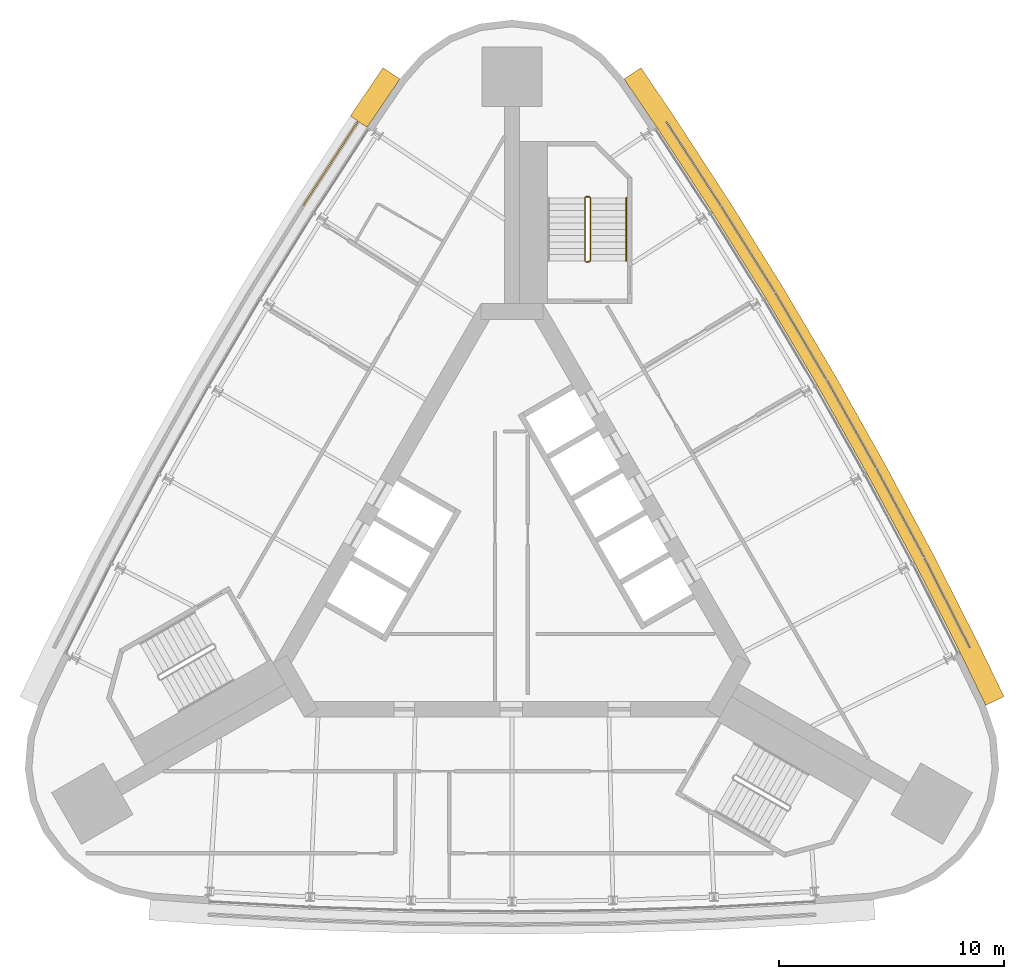
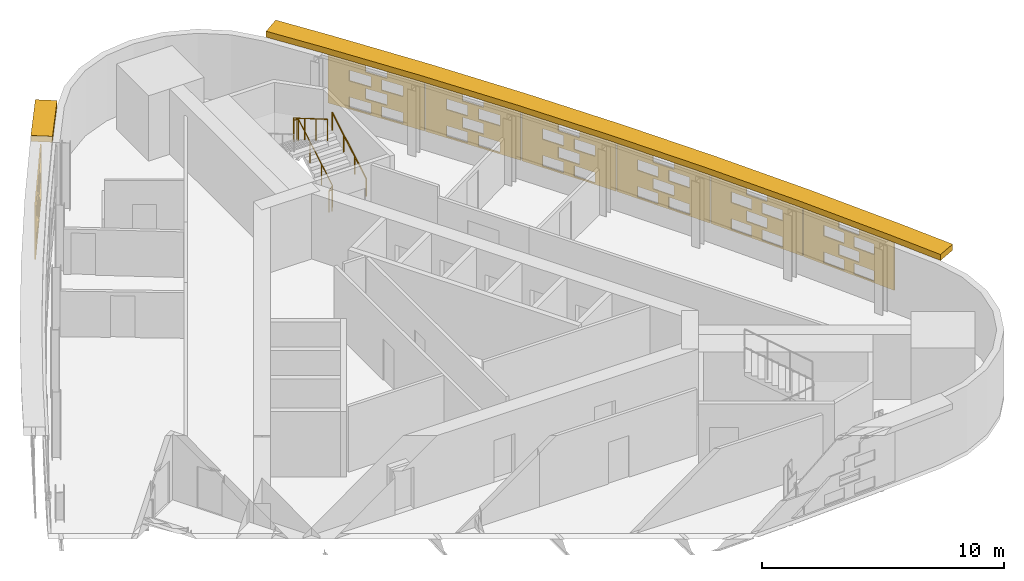
# One storey, part 11 of 11: 9 shading devices, 2 railings.
"""IFC4 building model written with IfcOpenShell, lengths in metres."""

from ifc_helpers import new_model, si_unit, direction, frame, origin, origin_2d, place, context, subcontext, project, spatial, polyline, circle, outline, extrude, material, material_profile, profile_set, type_object, element, save


model = new_model("IFC4")

# Units and contexts
model_context = context("Model", 3, precision=1e-05, world=origin(), true_north=direction((0.0, 1.0)))
body_context = subcontext(model_context, "Body", "Model", "MODEL_VIEW")
ifc_project = project(units=[si_unit("LENGTHUNIT", "METRE"), si_unit("AREAUNIT", "SQUARE_METRE"), si_unit("VOLUMEUNIT", "CUBIC_METRE"), si_unit("PLANEANGLEUNIT", "RADIAN"), si_unit("MASSUNIT", "GRAM", prefix="KILO")], contexts=[model_context])

# Site, building, storey
site_placement = place(None, origin())
site = spatial("IfcSite", under=ifc_project, at=site_placement, CompositionType="ELEMENT")
building_placement = place(site_placement, origin())
building = spatial("IfcBuilding", under=site, at=building_placement, Name="Noor Cloister Tower", CompositionType="ELEMENT")
storey_placement = place(building_placement, frame((0.0, 0.0, 206.699951171875)))
storey = spatial("IfcBuildingStorey", under=building, at=storey_placement, Name="L53", CompositionType="ELEMENT", Elevation=206.699951171875)

# Shading devices
ifc_material_1 = material(Name="Limestone", Category="masonry")
ifc_material_profile = material_profile(ifc_material_1, outline(polyline([(-2.22998046875, -1.35009765625), (2.22998046875, -1.35009765625), (2.22998046875, 1.35009765625), (-2.22998046875, 1.35009765625), (-2.22998046875, -1.35009765625)]), holes=[polyline([(-1.25, -1.282470703125), (-0.25, -1.282470703125), (-0.25, -0.742431640625), (-1.25, -0.742431640625), (-1.25, -1.282470703125)]), polyline([(0.25, -1.282470703125), (1.25, -1.282470703125), (1.25, -0.742431640625), (0.25, -0.742431640625), (0.25, -1.282470703125)]), polyline([(-0.5, -0.607421875), (0.5, -0.607421875), (0.5, -0.0673828125), (-0.5, -0.0673828125), (-0.5, -0.607421875)]), polyline([(-1.25, 0.0673828125), (-0.25, 0.0673828125), (-0.25, 0.607421875), (-1.25, 0.607421875), (-1.25, 0.0673828125)]), polyline([(0.25, 0.0673828125), (1.25, 0.0673828125), (1.25, 0.607421875), (0.25, 0.607421875), (0.25, 0.0673828125)]), polyline([(-0.5, 0.742431640625), (0.5, 0.742431640625), (0.5, 1.282470703125), (-0.5, 1.282470703125), (-0.5, 0.742431640625)])]), Name="Woven screen 32 percent open")
ifc_profile_set = profile_set([ifc_material_profile], Name="Limestone")
shading_device_type_1 = type_object("IfcShadingDeviceType", Name="SCREEN woven limestone 32 percent open", PredefinedType="USERDEFINED", material=ifc_profile_set)
for number, where, z_axis, x_axis, name in (
    (1, (-8.045654296875, 17.65673828125, 1.85009765625), (-0.838257628123, 0.545274379459, 0.0), (-0.545274379459, -0.838257628123, 0.0), "SCREEN L53 1"),
    (2, (19.31396484375, -1.860595703125, 1.85009765625), (0.891970083601, 0.452094425935, 0.0), (-0.452094425935, 0.891970083601, 0.0), "SCREEN L53 1"),
):
    element("IfcShadingDevice", number, at=place(storey_placement, frame(where, z_axis=z_axis, x_axis=x_axis)), inside=storey, type_object=shading_device_type_1, Name=name, ObjectType="SCREEN", PredefinedType="USERDEFINED", context=body_context, shape_type="SweptSolid", body=[
        extrude(outline(polyline([(-2.22998046875, -1.35009765625), (2.22998046875, -1.35009765625), (2.22998046875, 1.35009765625), (-2.22998046875, 1.35009765625), (-2.22998046875, -1.35009765625)]), holes=[polyline([(-1.25, -1.282470703125), (-0.25, -1.282470703125), (-0.25, -0.742431640625), (-1.25, -0.742431640625), (-1.25, -1.282470703125)]), polyline([(0.25, -1.282470703125), (1.25, -1.282470703125), (1.25, -0.742431640625), (0.25, -0.742431640625), (0.25, -1.282470703125)]), polyline([(-0.5, -0.607421875), (0.5, -0.607421875), (0.5, -0.0673828125), (-0.5, -0.0673828125), (-0.5, -0.607421875)]), polyline([(-1.25, 0.0673828125), (-0.25, 0.0673828125), (-0.25, 0.607421875), (-1.25, 0.607421875), (-1.25, 0.0673828125)]), polyline([(0.25, 0.0673828125), (1.25, 0.0673828125), (1.25, 0.607421875), (0.25, 0.607421875), (0.25, 0.0673828125)]), polyline([(-0.5, 0.742431640625), (0.5, 0.742431640625), (0.5, 1.282470703125), (-0.5, 1.282470703125), (-0.5, 0.742431640625)])]), origin(), (0.0, 0.0, 1.0), 0.06005859375),
    ])
for number, where, z_axis, x_axis, name in (
    (3, (17.232421875, 2.1396484375, 1.85009765625), (0.880994429299, 0.473126637957, 0.0), (-0.473126637957, 0.880994429299, 0.0), "SCREEN L53 2"),
    (4, (15.063720703125, 6.093505859375, 1.85009765625), (0.872227864306, 0.489099736994, 0.0), (-0.489099736994, 0.872227864306, 0.0), "SCREEN L53 3"),
):
    element("IfcShadingDevice", number, at=place(storey_placement, frame(where, z_axis=z_axis, x_axis=x_axis)), inside=storey, type_object=shading_device_type_1, Name=name, ObjectType="SCREEN", PredefinedType="USERDEFINED", context=body_context, shape_type="SweptSolid", body=[
        extrude(outline(polyline([(-2.22998046875, -1.35009765625), (2.22998046875, -1.35009765625), (2.22998046875, 1.35009765625), (-2.22998046875, 1.35009765625), (-2.22998046875, -1.35009765625)]), holes=[polyline([(-1.25, -1.282470703125), (-0.25, -1.282470703125), (-0.25, -0.742431640625), (-1.25, -0.742431640625), (-1.25, -1.282470703125)]), polyline([(0.25, -1.282470703125), (1.25, -1.282470703125), (1.25, -0.742431640625), (0.25, -0.742431640625), (0.25, -1.282470703125)]), polyline([(-0.5, -0.607421875), (0.5, -0.607421875), (0.5, -0.0673828125), (-0.5, -0.0673828125), (-0.5, -0.607421875)]), polyline([(-1.25, 0.0673828125), (-0.25, 0.0673828125), (-0.25, 0.607421875), (-1.25, 0.607421875), (-1.25, 0.0673828125)]), polyline([(0.25, 0.0673828125), (1.25, 0.0673828125), (1.25, 0.607421875), (0.25, 0.607421875), (0.25, 0.0673828125)]), polyline([(-0.5, 0.742431640625), (0.5, 0.742431640625), (0.5, 1.282470703125), (-0.5, 1.282470703125), (-0.5, 0.742431640625)])]), origin(), (0.0, 0.0, 1.0), 0.059814453125),
    ])
shading_device_1_placement = place(storey_placement, frame((12.808837890625, 9.998779296875, 1.85009765625), z_axis=(0.86141148773, 0.507907716822, 0.0), x_axis=(-0.507907716822, 0.86141148773, 0.0)))
element("IfcShadingDevice", 5, at=shading_device_1_placement, inside=storey, type_object=shading_device_type_1, Name="SCREEN L53 4", ObjectType="SCREEN", PredefinedType="USERDEFINED", context=body_context, shape_type="SweptSolid", body=[
    extrude(outline(polyline([(-2.22998046875, -1.35009765625), (2.22998046875, -1.35009765625), (2.22998046875, 1.35009765625), (-2.22998046875, 1.35009765625), (-2.22998046875, -1.35009765625)]), holes=[polyline([(-1.25, -1.282470703125), (-0.25, -1.282470703125), (-0.25, -0.742431640625), (-1.25, -0.742431640625), (-1.25, -1.282470703125)]), polyline([(0.25, -1.282470703125), (1.25, -1.282470703125), (1.25, -0.742431640625), (0.25, -0.742431640625), (0.25, -1.282470703125)]), polyline([(-0.5, -0.607421875), (0.5, -0.607421875), (0.5, -0.0673828125), (-0.5, -0.0673828125), (-0.5, -0.607421875)]), polyline([(-1.25, 0.0673828125), (-0.25, 0.0673828125), (-0.25, 0.607421875), (-1.25, 0.607421875), (-1.25, 0.0673828125)]), polyline([(0.25, 0.0673828125), (1.25, 0.0673828125), (1.25, 0.607421875), (0.25, 0.607421875), (0.25, 0.0673828125)]), polyline([(-0.5, 0.742431640625), (0.5, 0.742431640625), (0.5, 1.282470703125), (-0.5, 1.282470703125), (-0.5, 0.742431640625)])]), origin(), (0.0, 0.0, 1.0), 0.06005859375),
])
shading_device_2_placement = place(storey_placement, frame((10.46923828125, 13.853759765625, 1.85009765625), z_axis=(0.847998304005, 0.529998940003, 0.0), x_axis=(-0.529998940003, 0.847998304005, 0.0)))
element("IfcShadingDevice", 6, at=shading_device_2_placement, inside=storey, type_object=shading_device_type_1, Name="SCREEN L53 5", ObjectType="SCREEN", PredefinedType="USERDEFINED", context=body_context, shape_type="SweptSolid", body=[
    extrude(outline(polyline([(-2.22998046875, -1.35009765625), (2.22998046875, -1.35009765625), (2.22998046875, 1.35009765625), (-2.22998046875, 1.35009765625), (-2.22998046875, -1.35009765625)]), holes=[polyline([(-1.25, -1.282470703125), (-0.25, -1.282470703125), (-0.25, -0.742431640625), (-1.25, -0.742431640625), (-1.25, -1.282470703125)]), polyline([(0.25, -1.282470703125), (1.25, -1.282470703125), (1.25, -0.742431640625), (0.25, -0.742431640625), (0.25, -1.282470703125)]), polyline([(-0.5, -0.607421875), (0.5, -0.607421875), (0.5, -0.0673828125), (-0.5, -0.0673828125), (-0.5, -0.607421875)]), polyline([(-1.25, 0.0673828125), (-0.25, 0.0673828125), (-0.25, 0.607421875), (-1.25, 0.607421875), (-1.25, 0.0673828125)]), polyline([(0.25, 0.0673828125), (1.25, 0.0673828125), (1.25, 0.607421875), (0.25, 0.607421875), (0.25, 0.0673828125)]), polyline([(-0.5, 0.742431640625), (0.5, 0.742431640625), (0.5, 1.282470703125), (-0.5, 1.282470703125), (-0.5, 0.742431640625)])]), origin(), (0.0, 0.0, 1.0), 0.059814453125),
])
shading_device_3_placement = place(storey_placement, frame((8.045654296875, 17.65673828125, 1.85009765625), z_axis=(0.838257628123, 0.545274379459, 0.0), x_axis=(-0.545274379459, 0.838257628123, 0.0)))
element("IfcShadingDevice", 7, at=shading_device_3_placement, inside=storey, type_object=shading_device_type_1, Name="SCREEN L53 6", ObjectType="SCREEN", PredefinedType="USERDEFINED", context=body_context, shape_type="SweptSolid", body=[
    extrude(outline(polyline([(-2.22998046875, -1.35009765625), (2.22998046875, -1.35009765625), (2.22998046875, 1.35009765625), (-2.22998046875, 1.35009765625), (-2.22998046875, -1.35009765625)]), holes=[polyline([(-1.25, -1.282470703125), (-0.25, -1.282470703125), (-0.25, -0.742431640625), (-1.25, -0.742431640625), (-1.25, -1.282470703125)]), polyline([(0.25, -1.282470703125), (1.25, -1.282470703125), (1.25, -0.742431640625), (0.25, -0.742431640625), (0.25, -1.282470703125)]), polyline([(-0.5, -0.607421875), (0.5, -0.607421875), (0.5, -0.0673828125), (-0.5, -0.0673828125), (-0.5, -0.607421875)]), polyline([(-1.25, 0.0673828125), (-0.25, 0.0673828125), (-0.25, 0.607421875), (-1.25, 0.607421875), (-1.25, 0.0673828125)]), polyline([(0.25, 0.0673828125), (1.25, 0.0673828125), (1.25, 0.607421875), (0.25, 0.607421875), (0.25, 0.0673828125)]), polyline([(-0.5, 0.742431640625), (0.5, 0.742431640625), (0.5, 1.282470703125), (-0.5, 1.282470703125), (-0.5, 0.742431640625)])]), origin(), (0.0, 0.0, 1.0), 0.06005859375),
])
ifc_material_2 = material(Name="Limestone", Category="masonry")
shading_device_type_2 = type_object("IfcShadingDeviceType", Name="SUNSHADE limestone band 900", PredefinedType="USERDEFINED", material=ifc_material_2)
shading_device_4_placement = place(storey_placement, frame((0.0, 0.0, 3.300048828125)))
element("IfcShadingDevice", 8, at=shading_device_4_placement, inside=storey, type_object=shading_device_type_2, Name="SUNSHADE L53 3", ObjectType="SUNSHADE", PredefinedType="USERDEFINED", context=body_context, shape_type="SweptSolid", body=[
    extrude(outline(polyline([(21.8701171875, -6.010009765625), (20.735595703125, -3.67138671875), (18.6943359375, 0.358642578125), (16.564208984375, 4.344970703125), (14.347412109375, 8.283447265625), (12.044921875, 12.172607421875), (9.65771484375, 16.010498046875), (7.1884765625, 19.793212890625), (5.730224609375, 21.94482421875), (4.985107421875, 21.43994140625), (6.43896484375, 19.294677734375), (8.898681640625, 15.526611328125), (11.275390625, 11.70556640625), (13.56787109375, 7.83349609375), (15.775146484375, 3.912109375), (17.895751953125, -0.056884765625), (19.92919921875, -4.071044921875), (21.060302734375, -6.40283203125), (21.8701171875, -6.010009765625)])), origin(), (0.0, 0.0, 1.0), 0.300048828125),
])
shading_device_5_placement = place(storey_placement, frame((0.0, 0.0, 3.300048828125)))
element("IfcShadingDevice", 9, at=shading_device_5_placement, inside=storey, type_object=shading_device_type_2, Name="SUNSHADE L53 4", ObjectType="SUNSHADE", PredefinedType="USERDEFINED", context=body_context, shape_type="SweptSolid", body=[
    extrude(outline(polyline([(-5.730224609375, 21.94482421875), (-7.18408203125, 19.799560546875), (-6.43896484375, 19.294677734375), (-4.985107421875, 21.43994140625), (-5.730224609375, 21.94482421875)])), origin(), (0.0, 0.0, 1.0), 0.300048828125),
])

# Railings
ifc_material_3 = material(Name="Stainless steel", Category="steel")
railing_type_1 = type_object("IfcRailingType", Name="Stair guard 1100", PredefinedType="GUARDRAIL", material=ifc_material_3)
railing_1_placement = place(storey_placement, frame((3.435546875, 13.306396484375, 0.0)))
element("IfcRailing", 10, at=railing_1_placement, inside=storey, type_object=railing_type_1, Name="Stair guard ST1 L53", PredefinedType="GUARDRAIL", context=body_context, shape_type="SweptSolid", body=[
    extrude(circle(Radius=0.02392578125, at=origin_2d()), frame((0.0, 0.0, 1.076171875), z_axis=(-1.0, 0.0, 0.0), x_axis=(0.0, -1.0, 0.0)), (0.0, 0.0, 1.0), 0.14990234375),
    extrude(circle(Radius=0.02392578125, at=origin_2d()), frame((-0.14990234375, 0.0, 1.076171875), z_axis=(0.759870394187, 0.190199549216, 0.621627795), x_axis=(-0.242814311512, 0.970072785993, 0.0)), (0.0, 0.0, 1.0), 0.26318359375),
    extrude(circle(Radius=0.02392578125, at=origin_2d()), frame((0.050048828125, 0.050048828125, 1.23974609375), z_axis=(0.0, 0.863360870873, 0.504586966384), x_axis=(-1.0, 0.0, 0.0)), (0.0, 0.0, 1.0), 3.2431640625),
    extrude(circle(Radius=0.02392578125, at=origin_2d()), frame((0.050048828125, 2.85009765625, 2.8759765625), z_axis=(-0.708833529934, 0.705375805398, 0.0), x_axis=(-0.705375805398, -0.708833529934, 0.0)), (0.0, 0.0, 1.0), 0.070556640625),
    extrude(circle(Radius=0.02392578125, at=origin_2d()), frame((0.0, 2.89990234375, 2.8759765625), z_axis=(-1.0, 0.0, 0.0), x_axis=(0.0, -1.0, 0.0)), (0.0, 0.0, 1.0), 0.14990234375),
    extrude(circle(Radius=0.02392578125, at=origin_2d()), frame((-0.14990234375, 2.89990234375, 2.8759765625), z_axis=(-0.280916556609, -0.279546231943, 0.91811752648), x_axis=(0.705375805398, -0.708833529934, 0.0)), (0.0, 0.0, 1.0), 0.17822265625),
    extrude(circle(Radius=0.02392578125, at=origin_2d()), frame((-0.199951171875, 2.85009765625, 3.03955078125), z_axis=(0.0, -0.863360870873, 0.504586966384), x_axis=(1.0, 0.0, 0.0)), (0.0, 0.0, 1.0), 3.2431640625),
    extrude(circle(Radius=0.02099609375, at=origin_2d()), origin(), (0.0, 0.0, 1.0), 1.052001953125),
    extrude(circle(Radius=0.02099609375, at=origin_2d()), frame((-0.14990234375, 0.0, 0.0)), (0.0, 0.0, 1.0), 1.052001953125),
    extrude(circle(Radius=0.02099609375, at=origin_2d()), frame((0.050048828125, 0.050048828125, 0.16357421875)), (0.0, 0.0, 1.0), 1.052001953125),
    extrude(circle(Radius=0.02099609375, at=origin_2d()), frame((0.050048828125, 0.9833984375, 0.708984375)), (0.0, 0.0, 1.0), 1.052001953125),
    extrude(circle(Radius=0.02099609375, at=origin_2d()), frame((0.050048828125, 1.916748046875, 1.254638671875)), (0.0, 0.0, 1.0), 1.052001953125),
    extrude(circle(Radius=0.02099609375, at=origin_2d()), frame((0.050048828125, 2.85009765625, 1.800048828125)), (0.0, 0.0, 1.0), 1.052001953125),
    extrude(circle(Radius=0.02099609375, at=origin_2d()), frame((0.0, 2.89990234375, 1.800048828125)), (0.0, 0.0, 1.0), 1.052001953125),
    extrude(circle(Radius=0.02099609375, at=origin_2d()), frame((-0.14990234375, 2.89990234375, 1.800048828125)), (0.0, 0.0, 1.0), 1.052001953125),
    extrude(circle(Radius=0.02099609375, at=origin_2d()), frame((-0.199951171875, 2.85009765625, 1.963623046875)), (0.0, 0.0, 1.0), 1.052001953125),
    extrude(circle(Radius=0.02099609375, at=origin_2d()), frame((-0.199951171875, 1.916748046875, 2.509033203125)), (0.0, 0.0, 1.0), 1.052001953125),
    extrude(circle(Radius=0.02099609375, at=origin_2d()), frame((-0.199951171875, 0.9833984375, 3.0546875)), (0.0, 0.0, 1.0), 1.052001953125),
    extrude(circle(Radius=0.02099609375, at=origin_2d()), frame((-0.199951171875, 0.050048828125, 3.60009765625)), (0.0, 0.0, 1.0), 1.052001953125),
])
ifc_material_4 = material(Name="Stainless steel", Category="steel")
railing_type_2 = type_object("IfcRailingType", Name="Stair handrail 900", PredefinedType="HANDRAIL", material=ifc_material_4)
railing_2_placement = place(storey_placement, frame((5.085693359375, 13.3564453125, 0.16357421875)))
element("IfcRailing", 11, at=railing_2_placement, inside=storey, type_object=railing_type_2, Name="Stair handrail ST1 L53 1", PredefinedType="HANDRAIL", context=body_context, shape_type="SweptSolid", body=[
    extrude(circle(Radius=0.02392578125, at=origin_2d()), frame((0.0, 0.0, 0.8759765625), z_axis=(0.0, 0.863360870873, 0.504586966384), x_axis=(-1.0, 0.0, 0.0)), (0.0, 0.0, 1.0), 3.2431640625),
    extrude(circle(Radius=0.02099609375, at=origin_2d()), origin(), (0.0, 0.0, 1.0), 0.851806640625),
    extrude(circle(Radius=0.02099609375, at=origin_2d()), frame((0.0, 0.933349609375, 0.54541015625)), (0.0, 0.0, 1.0), 0.851806640625),
    extrude(circle(Radius=0.02099609375, at=origin_2d()), frame((0.0, 1.86669921875, 1.091064453125)), (0.0, 0.0, 1.0), 0.851806640625),
    extrude(circle(Radius=0.02099609375, at=origin_2d()), frame((0.0, 2.800048828125, 1.636474609375)), (0.0, 0.0, 1.0), 0.851806640625),
])

save(model, "model.ifc")
